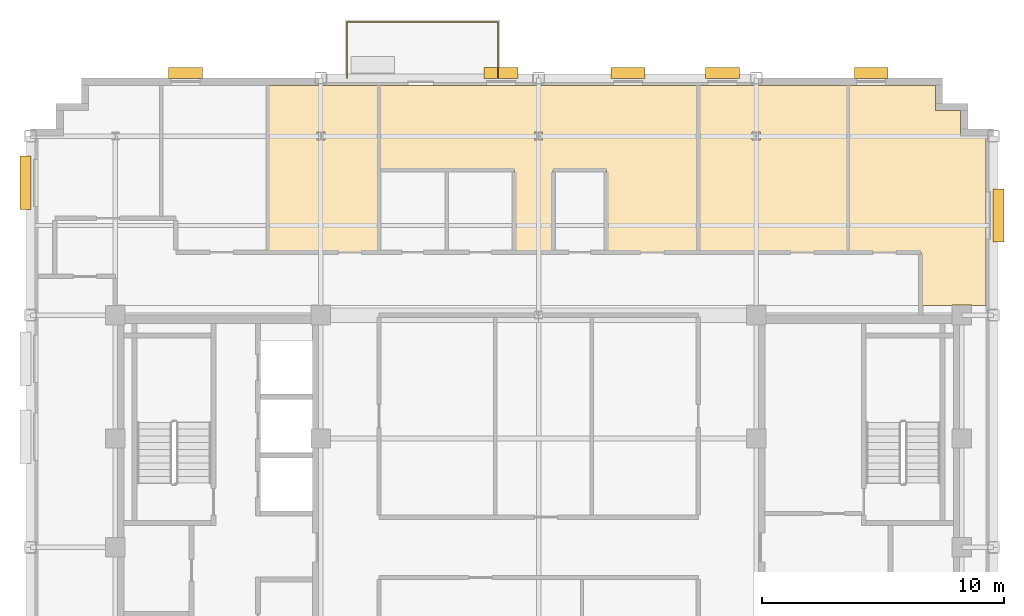
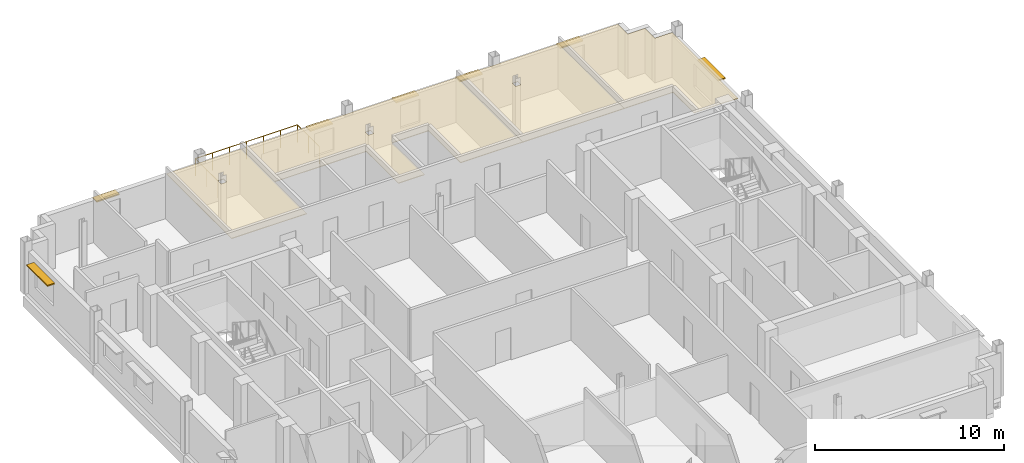
# One storey, part 14 of 14: 7 shading devices, 4 coverings, 1 railing.
"""IFC4 building model written with IfcOpenShell, lengths in metres."""

from ifc_helpers import new_model, si_unit, direction, frame, origin, origin_2d, place, context, subcontext, project, spatial, polyline, rectangle, circle, outline, extrude, source, transform, mapped, material, layer, layer_set, type_object, type_shapes, element, save


model = new_model("IFC4")

# Units and contexts
model_context = context("Model", 3, precision=1e-05, world=origin(), true_north=direction((0.0, 1.0)))
body_context = subcontext(model_context, "Body", "Model", "MODEL_VIEW")
ifc_project = project(units=[si_unit("LENGTHUNIT", "METRE"), si_unit("AREAUNIT", "SQUARE_METRE"), si_unit("VOLUMEUNIT", "CUBIC_METRE"), si_unit("PLANEANGLEUNIT", "RADIAN"), si_unit("MASSUNIT", "GRAM", prefix="KILO")], contexts=[model_context])

# Site, building, storey
site_placement = place(None, origin())
site = spatial("IfcSite", under=ifc_project, at=site_placement, CompositionType="ELEMENT")
building_placement = place(site_placement, origin())
building = spatial("IfcBuilding", under=site, at=building_placement, Name="Nuvemarco Arch Tower", CompositionType="ELEMENT")
storey_placement = place(building_placement, frame((0.0, 0.0, 268.89990234375)))
storey = spatial("IfcBuildingStorey", under=building, at=storey_placement, Name="L71", CompositionType="ELEMENT", Elevation=268.89990234375)

# Coverings
ifc_material_1 = material(Name="Mineral acoustic ceiling tile")
ifc_layer = layer(ifc_material_1, 0.0400390625, Name="COV-ACOUSTIC-CLG")
ifc_layer_set = layer_set([ifc_layer], Name="Mineral acoustic ceiling tile")
covering_type = type_object("IfcCoveringType", Name="COV-ACOUSTIC-CLG", PredefinedType="CEILING", material=ifc_layer_set)
covering_1_placement = place(storey_placement, frame((0.0, 0.0, 2.85009765625)))
element("IfcCovering", 1, at=covering_1_placement, inside=storey, type_object=covering_type, Name="L71 suspended acoustic ceiling 1", PredefinedType="CEILING", context=body_context, shape_type="SweptSolid", body=[
    extrude(outline(polyline([(-1.0, 12.199951171875), (-1.0, 15.60009765625), (-3.800048828125, 15.60009765625), (-6.60009765625, 15.60009765625), (-6.60009765625, 19.10009765625), (6.60009765625, 19.10009765625), (6.60009765625, 12.199951171875), (2.800048828125, 12.199951171875), (2.800048828125, 15.60009765625), (0.60009765625, 15.60009765625), (0.60009765625, 12.199951171875), (-1.0, 12.199951171875)]), holes=[polyline([(0.169921875, 16.830078125), (0.169921875, 17.169921875), (-0.169921875, 17.169921875), (-0.169921875, 16.830078125), (0.169921875, 16.830078125)])]), origin(), (0.0, 0.0, 1.0), 0.0400390625),
])
covering_2_placement = place(storey_placement, frame((0.0, 0.0, 2.85009765625)))
element("IfcCovering", 2, at=covering_2_placement, inside=storey, type_object=covering_type, Name="L71 suspended acoustic ceiling 3", PredefinedType="CEILING", context=body_context, shape_type="SweptSolid", body=[
    extrude(outline(polyline([(18.5, 17.0), (18.5, 10.0), (17.9150390625, 10.0), (17.9150390625, 10.014892578125), (17.0849609375, 10.014892578125), (17.0849609375, 10.0), (15.800048828125, 10.0), (15.800048828125, 12.199951171875), (12.800048828125, 12.199951171875), (12.800048828125, 19.10009765625), (16.39990234375, 19.10009765625), (16.39990234375, 18.050048828125), (17.449951171875, 18.050048828125), (17.449951171875, 17.0), (18.5, 17.0)])), origin(), (0.0, 0.0, 1.0), 0.0400390625),
])
covering_3_placement = place(storey_placement, frame((0.0, 0.0, 2.85009765625)))
element("IfcCovering", 3, at=covering_3_placement, inside=storey, type_object=covering_type, Name="L71 suspended acoustic ceiling 4", PredefinedType="CEILING", context=body_context, shape_type="SweptSolid", body=[
    extrude(outline(polyline([(12.800048828125, 12.199951171875), (9.0, 12.199951171875), (6.60009765625, 12.199951171875), (6.60009765625, 19.10009765625), (12.800048828125, 19.10009765625), (12.800048828125, 12.199951171875)]), holes=[polyline([(9.169921875, 17.169921875), (8.830078125, 17.169921875), (8.830078125, 16.830078125), (9.169921875, 16.830078125), (9.169921875, 17.169921875)])]), origin(), (0.0, 0.0, 1.0), 0.0400390625),
])
covering_4_placement = place(storey_placement, frame((0.0, 0.0, 2.85009765625)))
element("IfcCovering", 4, at=covering_4_placement, inside=storey, type_object=covering_type, Name="L71 suspended acoustic ceiling 8", PredefinedType="CEILING", context=body_context, shape_type="SweptSolid", body=[
    extrude(outline(polyline([(-6.60009765625, 15.60009765625), (-6.60009765625, 12.199951171875), (-9.0, 12.199951171875), (-11.199951171875, 12.199951171875), (-11.199951171875, 19.10009765625), (-6.60009765625, 19.10009765625), (-6.60009765625, 15.60009765625)]), holes=[polyline([(-8.830078125, 17.169921875), (-9.169921875, 17.169921875), (-9.169921875, 16.830078125), (-8.830078125, 16.830078125), (-8.830078125, 17.169921875)])]), origin(), (0.0, 0.0, 1.0), 0.0400390625),
])

# Railing
ifc_material_2 = material(Name="Dark anodised balustrade steel S355", Category="steel")
railing_type = type_object("IfcRailingType", Name="RL-TERR-GUARD", PredefinedType="BALUSTRADE", material=ifc_material_2)
railing_placement = place(storey_placement, frame((-7.919921875, 19.39990234375, 0.0)))
element("IfcRailing", 5, at=railing_placement, inside=storey, type_object=railing_type, Name="L71 spiral terrace perimeter balustrade guard", PredefinedType="BALUSTRADE", context=body_context, shape_type="SweptSolid", body=[
    extrude(circle(Radius=0.02392578125, at=origin_2d()), frame((0.0, 0.0, 1.1259765625), z_axis=(0.0, 1.0, 0.0), x_axis=(-1.0, 0.0, 0.0)), (0.0, 0.0, 1.0), 2.320068359375),
    extrude(circle(Radius=0.02392578125, at=origin_2d()), frame((0.0, 2.320068359375, 1.1259765625), z_axis=(1.0, 0.0, 0.0), x_axis=(0.0, 1.0, 0.0)), (0.0, 0.0, 1.0), 6.239990234375),
    extrude(circle(Radius=0.02392578125, at=origin_2d()), frame((6.239990234375, 2.320068359375, 1.1259765625), z_axis=(0.0, -1.0, 0.0), x_axis=(1.0, 0.0, 0.0)), (0.0, 0.0, 1.0), 2.320068359375),
    extrude(circle(Radius=0.02099609375, at=origin_2d()), origin(), (0.0, 0.0, 1.0), 1.101806640625),
    extrude(circle(Radius=0.02099609375, at=origin_2d()), frame((0.0, 1.16015625, 0.0)), (0.0, 0.0, 1.0), 1.101806640625),
    extrude(circle(Radius=0.02099609375, at=origin_2d()), frame((0.0, 2.320068359375, 0.0)), (0.0, 0.0, 1.0), 1.101806640625),
    extrude(circle(Radius=0.02099609375, at=origin_2d()), frame((1.0400390625, 2.320068359375, 0.0)), (0.0, 0.0, 1.0), 1.101806640625),
    extrude(circle(Radius=0.02099609375, at=origin_2d()), frame((2.080078125, 2.320068359375, 0.0)), (0.0, 0.0, 1.0), 1.101806640625),
    extrude(circle(Radius=0.02099609375, at=origin_2d()), frame((3.1201171875, 2.320068359375, 0.0)), (0.0, 0.0, 1.0), 1.101806640625),
    extrude(circle(Radius=0.02099609375, at=origin_2d()), frame((4.159912109375, 2.320068359375, 0.0)), (0.0, 0.0, 1.0), 1.101806640625),
    extrude(circle(Radius=0.02099609375, at=origin_2d()), frame((5.199951171875, 2.320068359375, 0.0)), (0.0, 0.0, 1.0), 1.101806640625),
    extrude(circle(Radius=0.02099609375, at=origin_2d()), frame((6.239990234375, 2.320068359375, 0.0)), (0.0, 0.0, 1.0), 1.101806640625),
    extrude(circle(Radius=0.02099609375, at=origin_2d()), frame((6.239990234375, 1.16015625, 0.0)), (0.0, 0.0, 1.0), 1.101806640625),
    extrude(circle(Radius=0.02099609375, at=origin_2d()), frame((6.239990234375, 0.0, 0.0)), (0.0, 0.0, 1.0), 1.101806640625),
])

# Shading devices
ifc_material_3 = material(Name="Anodised aluminium 6063-T6", Category="aluminium")
shading_device_type_1 = type_object("IfcShadingDeviceType", Name="SHD-BRISE-SOLEIL", PredefinedType="USERDEFINED", material=ifc_material_3)
shared_shape_1 = source(origin(), body_context, "Body", "SweptSolid", [
    extrude(rectangle(XDim=2.199951171875, YDim=0.449951171875, at=origin_2d()), origin(), (0.0, 0.0, 1.0), 0.080078125),
])
type_shapes(shading_device_type_1, [shared_shape_1])
for number, where, z_axis, x_axis, name in (
    (6, (19.014892578125, 13.7177734375, 2.28515625), (0.0, 0.0, 1.0), (0.0, 1.0, 0.0), "L71 horizontal brise-soleil sunshade"),
    (7, (-21.215087890625, 15.067626953125, 2.28515625), (0.0, 0.0, 1.0), (0.0, 1.0, 0.0), "L71 horizontal brise-soleil sunshade"),
):
    element("IfcShadingDevice", number, at=place(storey_placement, frame(where, z_axis=z_axis, x_axis=x_axis)), inside=storey, type_object=shading_device_type_1, Name=name, ObjectType="SUNSHADE", PredefinedType="USERDEFINED", context=body_context, shape_type="MappedRepresentation", body=[
        mapped(shared_shape_1, transform((0.0, 0.0, 0.0), scale=1.0)),
    ])
shading_device_type_2 = type_object("IfcShadingDeviceType", Name="SHD-BRISE-NARROW", PredefinedType="USERDEFINED", material=ifc_material_3)
shared_shape_2 = source(origin(), body_context, "Body", "SweptSolid", [
    extrude(rectangle(XDim=1.39990234375, YDim=0.449951171875, at=origin_2d()), origin(), (0.0, 0.0, 1.0), 0.080078125),
])
type_shapes(shading_device_type_2, [shared_shape_2])
for number, where, z_axis, x_axis, name in (
    (8, (-14.60009765625, 19.614990234375, 2.28515625), (0.0, 0.0, 1.0), (1.0, 0.0, 0.0), "L71 horizontal brise-soleil sunshade"),
    (9, (-1.550048828125, 19.614990234375, 2.28515625), (0.0, 0.0, 1.0), (1.0, 0.0, 0.0), "L71 horizontal brise-soleil sunshade"),
    (10, (3.699951171875, 19.614990234375, 2.28515625), (0.0, 0.0, 1.0), (1.0, 0.0, 0.0), "L71 horizontal brise-soleil sunshade"),
    (11, (7.60009765625, 19.614990234375, 2.28515625), (0.0, 0.0, 1.0), (1.0, 0.0, 0.0), "L71 horizontal brise-soleil sunshade"),
    (12, (13.75, 19.614990234375, 2.28515625), (0.0, 0.0, 1.0), (1.0, 0.0, 0.0), "L71 horizontal brise-soleil sunshade"),
):
    element("IfcShadingDevice", number, at=place(storey_placement, frame(where, z_axis=z_axis, x_axis=x_axis)), inside=storey, type_object=shading_device_type_2, Name=name, ObjectType="SUNSHADE", PredefinedType="USERDEFINED", context=body_context, shape_type="MappedRepresentation", body=[
        mapped(shared_shape_2, transform((0.0, 0.0, 0.0), scale=1.0)),
    ])

save(model, "model.ifc")
